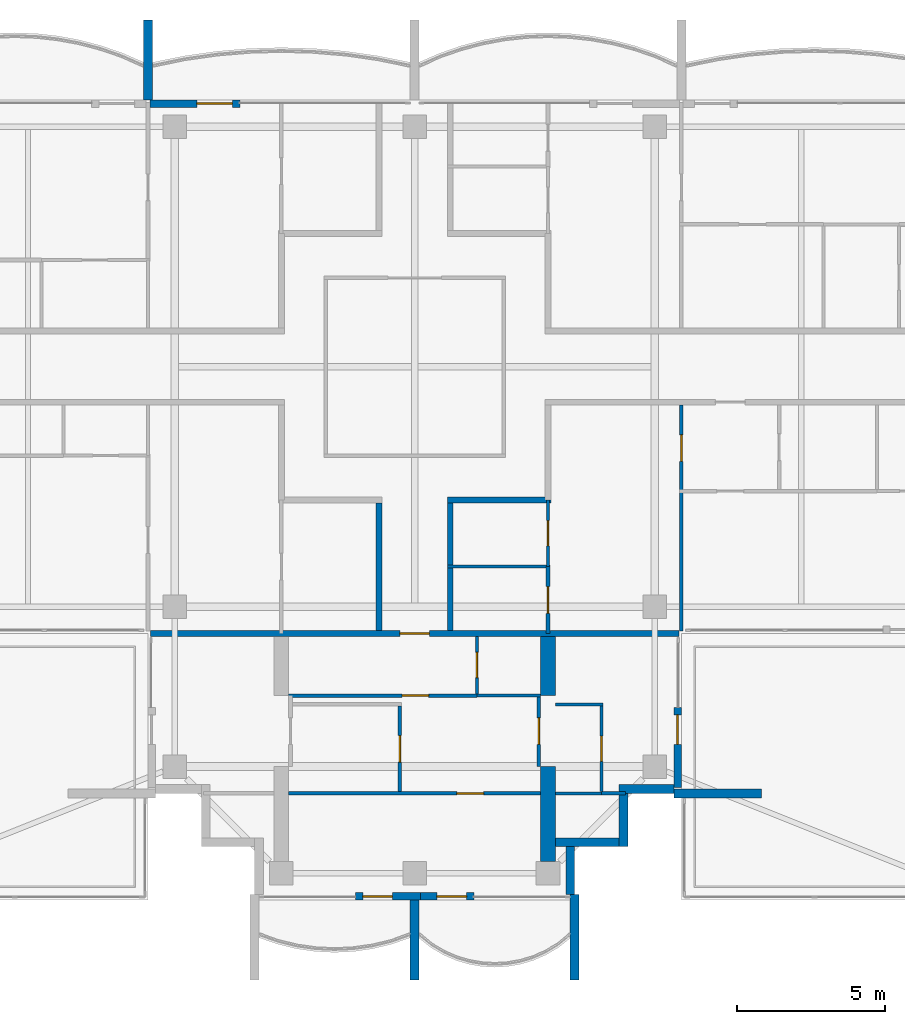
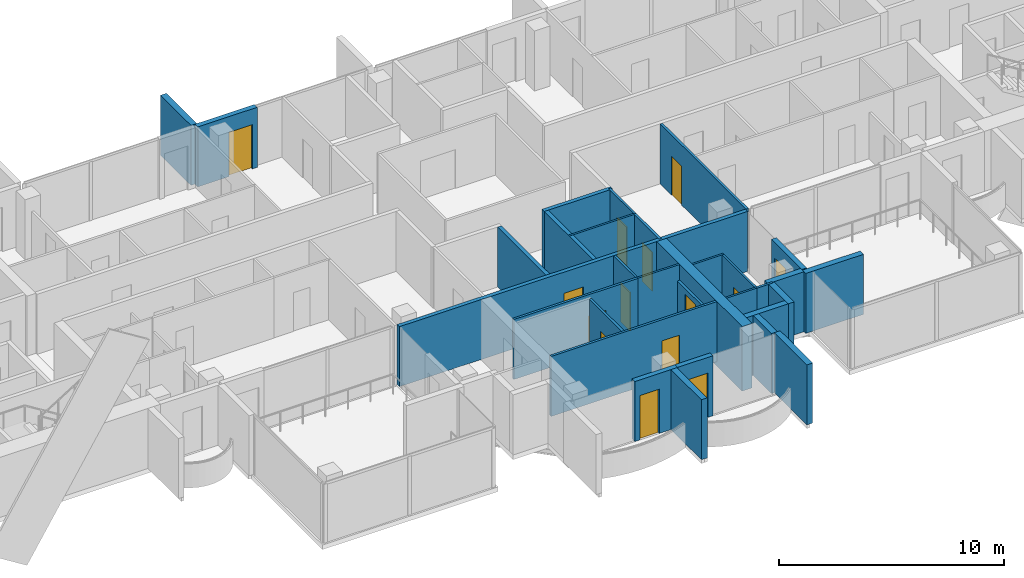
# One storey, part 9 of 16: 31 walls, 14 doors, 14 openings.
"""IFC4 building model written with IfcOpenShell, lengths in metres."""

from ifc_helpers import new_model, si_unit, direction, frame, frame_2d, origin, place, context, subcontext, project, spatial, polyline, rectangle, outline, extrude, material, layer, layer_set, material_profile, profile_set, type_object, element, fill, save


model = new_model("IFC4")

# Units and contexts
model_context = context("Model", 3, precision=1e-05, world=origin(), true_north=direction((0.0, 1.0)))
body_context = subcontext(model_context, "Body", "Model", "MODEL_VIEW")
ifc_project = project(units=[si_unit("LENGTHUNIT", "METRE"), si_unit("AREAUNIT", "SQUARE_METRE"), si_unit("VOLUMEUNIT", "CUBIC_METRE"), si_unit("PLANEANGLEUNIT", "RADIAN"), si_unit("MASSUNIT", "GRAM", prefix="KILO")], contexts=[model_context])

# Site, building, storey
site_placement = place(None, origin())
site = spatial("IfcSite", under=ifc_project, at=site_placement, CompositionType="ELEMENT")
building_placement = place(site_placement, origin())
building = spatial("IfcBuilding", under=site, at=building_placement, Name="Perihelion Cross Residences", CompositionType="ELEMENT")
storey_placement = place(building_placement, frame((0.0, 0.0, 271.0)))
storey = spatial("IfcBuildingStorey", under=building, at=storey_placement, Name="L69", CompositionType="ELEMENT", Elevation=271.0)

# Walls
ifc_material_1 = material(Name="Plasterboard partition")
ifc_layer_1 = layer(ifc_material_1, 0.199951171875)
ifc_layer_set_1 = layer_set([ifc_layer_1], Name="Apartment separation wall 200")
wall_type_1 = type_object("IfcWallType", Name="Apartment separation wall 200", PredefinedType="PARTITIONING", material=ifc_layer_set_1)
wall_1_placement = place(storey_placement, frame((4.60009765625, -4.5, 0.0), z_axis=(0.0, 0.0, 1.0), x_axis=(-1.0, 0.0, 0.0)))
element("IfcWall", 1, at=wall_1_placement, inside=storey, type_object=wall_type_1, Name="Partition L69 W011", PredefinedType="PARTITIONING", context=body_context, shape_type="SweptSolid", body=[
    extrude(rectangle(XDim=3.5, YDim=0.199951171875, at=frame_2d((1.75, 0.0))), origin(), (0.0, 0.0, 1.0), 3.25),
])
for number, where, z_axis, x_axis, name in (
    (2, (1.199951171875, -4.60009765625, 0.0), (0.0, 0.0, 1.0), (0.0, -1.0, 0.0), "Partition L69 W012"),
    (3, (-1.199951171875, -8.89990234375, 0.0), (0.0, 0.0, 1.0), (0.0, 1.0, 0.0), "Partition L69 W019"),
):
    element("IfcWall", number, at=place(storey_placement, frame(where, z_axis=z_axis, x_axis=x_axis)), inside=storey, type_object=wall_type_1, Name=name, PredefinedType="PARTITIONING", context=body_context, shape_type="SweptSolid", body=[
        extrude(rectangle(XDim=4.2998046875, YDim=0.199951171875, at=frame_2d((2.14990234375, 0.0))), origin(), (0.0, 0.0, 1.0), 3.25),
    ])

# Wall, opening, door
wall_2_placement = place(storey_placement, frame((8.919921875, -9.0, 0.0), z_axis=(0.0, 0.0, 1.0), x_axis=(-1.0, 0.0, 0.0)))
wall_2 = element("IfcWall", 4, at=wall_2_placement, inside=storey, type_object=wall_type_1, Name="Partition L69 W021", PredefinedType="PARTITIONING", context=body_context, shape_type="SweptSolid", body=[
    extrude(rectangle(XDim=17.83984375, YDim=0.199951171875, at=frame_2d((8.919921875, 0.0))), origin(), (0.0, 0.0, 1.0), 3.25),
])
opening_1_placement = place(wall_2_placement, frame((8.419921875, 0.0, 0.0)))
opening_1 = element("IfcOpeningElement", 5, at=opening_1_placement, cuts=wall_2, Name="Opening L69.A34", PredefinedType="OPENING", context=body_context, shape_type="SweptSolid", body=[
    extrude(rectangle(XDim=1.0, YDim=2.10009765625, at=frame_2d((0.5, 1.050048828125))), frame((0.0, 0.10986328125, 0.0), z_axis=(0.0, -1.0, 0.0), x_axis=(1.0, 0.0, 0.0)), (0.0, 0.0, 1.0), 0.219970703125),
])
ifc_material_2 = material(Name="Timber door leaf", Category="wood")
door_type_1 = type_object("IfcDoorType", Name="Flat entrance door 1000 x 2100", OperationType="SINGLE_SWING_LEFT", PredefinedType="DOOR", material=ifc_material_2)
door_1_placement = place(opening_1_placement, origin())
door_1 = element("IfcDoor", 6, at=door_1_placement, inside=storey, type_object=door_type_1, Name="Door L69.A34", OperationType="SINGLE_SWING_RIGHT", OverallHeight=2.10009765625, OverallWidth=1.0, PredefinedType="DOOR", context=body_context, shape_type="SweptSolid", body=[
    extrude(rectangle(XDim=1.0, YDim=2.10009765625, at=frame_2d((0.5, 1.050048828125))), frame((0.0, 0.02490234375, 0.0), z_axis=(0.0, -1.0, 0.0), x_axis=(1.0, 0.0, 0.0)), (0.0, 0.0, 1.0), 0.050048828125),
])
fill(opening_1, door_1)

ifc_material_3 = material(Name="Concrete C30/37, bronze-clad", Category="concrete")
ifc_layer_2 = layer(ifc_material_3, 0.25)
ifc_layer_set_2 = layer_set([ifc_layer_2], Name="Bronze-clad pier wall 250")
wall_type_2 = type_object("IfcWallType", Name="Bronze-clad pier wall 250", PredefinedType="SOLIDWALL", material=ifc_layer_set_2)
wall_3_placement = place(storey_placement, frame((-5.89990234375, 8.875, 0.0), z_axis=(0.0, 0.0, 1.0), x_axis=(-1.0, 0.0, 0.0)))
wall_3 = element("IfcWall", 7, at=wall_3_placement, inside=storey, type_object=wall_type_2, Name="Wall FW1 L69 north side east bay 2 pier", PredefinedType="SOLIDWALL", context=body_context, shape_type="SweptSolid", body=[
    extrude(rectangle(XDim=3.0400390625, YDim=0.25, at=frame_2d((1.52001953125, 0.0))), origin(), (0.0, 0.0, 1.0), 3.25),
])
opening_2_placement = place(wall_3_placement, frame((0.25, 0.0, 0.0)))
opening_2 = element("IfcOpeningElement", 8, at=opening_2_placement, cuts=wall_3, Name="Opening L69.E04", PredefinedType="OPENING", context=body_context, shape_type="SweptSolid", body=[
    extrude(rectangle(XDim=1.199951171875, YDim=2.39990234375, at=frame_2d((0.60009765625, 1.199951171875))), frame((0.0, 0.135009765625, 0.0), z_axis=(0.0, -1.0, 0.0), x_axis=(1.0, 0.0, 0.0)), (0.0, 0.0, 1.0), 0.27001953125),
])
ifc_material_4 = material(Name="Bronze anodised aluminium, glazed", Category="aluminium")
door_type_2 = type_object("IfcDoorType", Name="Balcony door 1200 x 2400", OperationType="NOTDEFINED", PredefinedType="DOOR", material=ifc_material_4)
door_2_placement = place(opening_2_placement, origin())
door_2 = element("IfcDoor", 9, at=door_2_placement, inside=storey, type_object=door_type_2, Name="Door L69.E04 north side east bay 2", OperationType="SINGLE_SWING_RIGHT", OverallHeight=2.39990234375, OverallWidth=1.199951171875, PredefinedType="DOOR", context=body_context, shape_type="SweptSolid", body=[
    extrude(rectangle(XDim=1.199951171875, YDim=2.39990234375, at=frame_2d((0.60009765625, 1.199951171875))), frame((0.0, 0.02490234375, 0.0), z_axis=(0.0, -1.0, 0.0), x_axis=(1.0, 0.0, 0.0)), (0.0, 0.0, 1.0), 0.050048828125),
])
fill(opening_2, door_2)

wall_4_placement = place(storey_placement, frame((-2.0, -17.875, 0.0), z_axis=(0.0, 0.0, 1.0), x_axis=(1.0, 0.0, 0.0)))
wall_4 = element("IfcWall", 10, at=wall_4_placement, inside=storey, type_object=wall_type_2, Name="Wall FW1 L69 south tip south bay 1 pier", PredefinedType="SOLIDWALL", context=body_context, shape_type="SweptSolid", body=[
    extrude(rectangle(XDim=2.199951171875, YDim=0.25, at=frame_2d((1.10009765625, 0.0))), origin(), (0.0, 0.0, 1.0), 3.25),
])
opening_3_placement = place(wall_4_placement, frame((0.25, 0.0, 0.0)))
opening_3 = element("IfcOpeningElement", 11, at=opening_3_placement, cuts=wall_4, Name="Opening L69.E10", PredefinedType="OPENING", context=body_context, shape_type="SweptSolid", body=[
    extrude(rectangle(XDim=1.0, YDim=2.39990234375, at=frame_2d((0.5, 1.199951171875))), frame((0.0, 0.135009765625, 0.0), z_axis=(0.0, -1.0, 0.0), x_axis=(1.0, 0.0, 0.0)), (0.0, 0.0, 1.0), 0.27001953125),
])
ifc_material_5 = material(Name="Bronze anodised aluminium, glazed", Category="aluminium")
door_type_3 = type_object("IfcDoorType", Name="Balcony door 1000 x 2400", OperationType="NOTDEFINED", PredefinedType="DOOR", material=ifc_material_5)
door_3_placement = place(opening_3_placement, origin())
door_3 = element("IfcDoor", 12, at=door_3_placement, inside=storey, type_object=door_type_3, Name="Door L69.E10 south tip south bay 1", OperationType="SINGLE_SWING_RIGHT", OverallHeight=2.39990234375, OverallWidth=1.0, PredefinedType="DOOR", context=body_context, shape_type="SweptSolid", body=[
    extrude(rectangle(XDim=1.0, YDim=2.39990234375, at=frame_2d((0.5, 1.199951171875))), frame((0.0, 0.02490234375, 0.0), z_axis=(0.0, -1.0, 0.0), x_axis=(1.0, 0.0, 0.0)), (0.0, 0.0, 1.0), 0.050048828125),
])
fill(opening_3, door_3)

wall_5_placement = place(storey_placement, frame((0.199951171875, -17.875, 0.0), z_axis=(0.0, 0.0, 1.0), x_axis=(1.0, 0.0, 0.0)))
wall_5 = element("IfcWall", 13, at=wall_5_placement, inside=storey, type_object=wall_type_2, Name="Wall FW1 L69 south tip south bay 2 pier", PredefinedType="SOLIDWALL", context=body_context, shape_type="SweptSolid", body=[
    extrude(rectangle(XDim=1.800048828125, YDim=0.25, at=frame_2d((0.89990234375, 0.0))), origin(), (0.0, 0.0, 1.0), 3.25),
])
opening_4_placement = place(wall_5_placement, frame((0.550048828125, 0.0, 0.0)))
opening_4 = element("IfcOpeningElement", 14, at=opening_4_placement, cuts=wall_5, Name="Opening L69.E11", PredefinedType="OPENING", context=body_context, shape_type="SweptSolid", body=[
    extrude(rectangle(XDim=1.0, YDim=2.39990234375, at=frame_2d((0.5, 1.199951171875))), frame((0.0, 0.135009765625, 0.0), z_axis=(0.0, -1.0, 0.0), x_axis=(1.0, 0.0, 0.0)), (0.0, 0.0, 1.0), 0.27001953125),
])
door_4_placement = place(opening_4_placement, origin())
door_4 = element("IfcDoor", 15, at=door_4_placement, inside=storey, type_object=door_type_3, Name="Door L69.E11 south tip south bay 2", OperationType="SINGLE_SWING_LEFT", OverallHeight=2.39990234375, OverallWidth=1.0, PredefinedType="DOOR", context=body_context, shape_type="SweptSolid", body=[
    extrude(rectangle(XDim=1.0, YDim=2.39990234375, at=frame_2d((0.5, 1.199951171875))), frame((0.0, 0.02490234375, 0.0), z_axis=(0.0, -1.0, 0.0), x_axis=(1.0, 0.0, 0.0)), (0.0, 0.0, 1.0), 0.050048828125),
])
fill(opening_4, door_4)

wall_6_placement = place(storey_placement, frame((8.875, -14.199951171875, 0.0), z_axis=(0.0, 0.0, 1.0), x_axis=(0.0, 1.0, 0.0)))
wall_6 = element("IfcWall", 16, at=wall_6_placement, inside=storey, type_object=wall_type_2, Name="Wall FW1 L69 south side east bay 1 pier", PredefinedType="SOLIDWALL", context=body_context, shape_type="SweptSolid", body=[
    extrude(rectangle(XDim=2.699951171875, YDim=0.25, at=frame_2d((1.35009765625, 0.0))), origin(), (0.0, 0.0, 1.0), 3.25),
])
opening_5_placement = place(wall_6_placement, frame((1.449951171875, 0.0, 0.0)))
opening_5 = element("IfcOpeningElement", 17, at=opening_5_placement, cuts=wall_6, Name="Opening L69.E12", PredefinedType="OPENING", context=body_context, shape_type="SweptSolid", body=[
    extrude(rectangle(XDim=1.0, YDim=2.39990234375, at=frame_2d((0.5, 1.199951171875))), frame((0.0, 0.135009765625, 0.0), z_axis=(0.0, -1.0, 0.0), x_axis=(1.0, 0.0, 0.0)), (0.0, 0.0, 1.0), 0.27001953125),
])
door_5_placement = place(opening_5_placement, origin())
door_5 = element("IfcDoor", 18, at=door_5_placement, inside=storey, type_object=door_type_3, Name="Door L69.E12 south side east bay 1", OperationType="SINGLE_SWING_RIGHT", OverallHeight=2.39990234375, OverallWidth=1.0, PredefinedType="DOOR", context=body_context, shape_type="SweptSolid", body=[
    extrude(rectangle(XDim=1.0, YDim=2.39990234375, at=frame_2d((0.5, 1.199951171875))), frame((0.0, 0.02490234375, 0.0), z_axis=(0.0, -1.0, 0.0), x_axis=(1.0, 0.0, 0.0)), (0.0, 0.0, 1.0), 0.050048828125),
])
fill(opening_5, door_5)

# Walls
ifc_material_6 = material(Name="Concrete C30/37, bronze-clad", Category="concrete")
ifc_layer_3 = layer(ifc_material_6, 0.300048828125)
ifc_layer_set_3 = layer_set([ifc_layer_3], Name="Bronze-clad serration wall 300")
wall_type_3 = type_object("IfcWallType", Name="Bronze-clad serration wall 300", PredefinedType="SOLIDWALL", material=ifc_layer_set_3)
wall_7_placement = place(storey_placement, frame((5.25, -17.820068359375, 0.0), z_axis=(0.0, 0.0, 1.0), x_axis=(0.0, 1.0, 0.0)))
element("IfcWall", 19, at=wall_7_placement, inside=storey, type_object=wall_type_3, Name="Wall SR1 L69 south corner south-east 1", PredefinedType="SOLIDWALL", context=body_context, shape_type="SweptSolid", body=[
    extrude(rectangle(XDim=1.6201171875, YDim=0.300048828125, at=frame_2d((0.81005859375, 0.0))), origin(), (0.0, 0.0, 1.0), 3.25),
])
wall_8_placement = place(storey_placement, frame((4.75, -16.050048828125, 0.0), z_axis=(0.0, 0.0, 1.0), x_axis=(1.0, 0.0, 0.0)))
element("IfcWall", 20, at=wall_8_placement, inside=storey, type_object=wall_type_3, Name="Wall SR1 L69 south corner south-east 2", PredefinedType="SOLIDWALL", context=body_context, shape_type="SweptSolid", body=[
    extrude(rectangle(XDim=2.14990234375, YDim=0.300048828125, at=frame_2d((1.074951171875, 0.0))), origin(), (0.0, 0.0, 1.0), 3.25),
])
wall_9_placement = place(storey_placement, frame((7.050048828125, -16.199951171875, 0.0), z_axis=(0.0, 0.0, 1.0), x_axis=(0.0, 1.0, 0.0)))
element("IfcWall", 21, at=wall_9_placement, inside=storey, type_object=wall_type_3, Name="Wall SR1 L69 south corner south-east 3", PredefinedType="SOLIDWALL", context=body_context, shape_type="SweptSolid", body=[
    extrude(rectangle(XDim=1.800048828125, YDim=0.300048828125, at=frame_2d((0.89990234375, 0.0))), origin(), (0.0, 0.0, 1.0), 3.25),
])
wall_10_placement = place(storey_placement, frame((6.89990234375, -14.25, 0.0), z_axis=(0.0, 0.0, 1.0), x_axis=(1.0, 0.0, 0.0)))
element("IfcWall", 22, at=wall_10_placement, inside=storey, type_object=wall_type_3, Name="Wall SR1 L69 south corner south-east 4", PredefinedType="SOLIDWALL", context=body_context, shape_type="SweptSolid", body=[
    extrude(rectangle(XDim=1.85009765625, YDim=0.300048828125, at=frame_2d((0.925048828125, 0.0))), origin(), (0.0, 0.0, 1.0), 3.25),
])

# Wall, opening, door
ifc_material_7 = material(Name="Plasterboard partition")
ifc_layer_4 = layer(ifc_material_7, 0.1201171875)
ifc_layer_set_4 = layer_set([ifc_layer_4], Name="Infill panel 120")
wall_type_4 = type_object("IfcWallType", Name="Infill panel 120", PredefinedType="PARTITIONING", material=ifc_layer_set_4)
wall_11_placement = place(storey_placement, frame((4.18994140625, -11.10009765625, 0.0), z_axis=(0.0, 0.0, 1.0), x_axis=(0.0, -1.0, 0.0)))
wall_11 = element("IfcWall", 23, at=wall_11_placement, inside=storey, type_object=wall_type_4, Name="Partition L69 WI01", PredefinedType="PARTITIONING", context=body_context, shape_type="SweptSolid", body=[
    extrude(rectangle(XDim=2.39990234375, YDim=0.1201171875, at=frame_2d((1.199951171875, 0.0))), origin(), (0.0, 0.0, 1.0), 2.39990234375),
])
opening_6_placement = place(wall_11_placement, frame((0.75, 0.0, 0.0)))
opening_6 = element("IfcOpeningElement", 24, at=opening_6_placement, cuts=wall_11, Name="Opening L69.A44", PredefinedType="OPENING", context=body_context, shape_type="SweptSolid", body=[
    extrude(rectangle(XDim=0.89990234375, YDim=2.10009765625, at=frame_2d((0.449951171875, 1.050048828125))), frame((0.0, 0.070068359375, 0.0), z_axis=(0.0, -1.0, 0.0), x_axis=(1.0, 0.0, 0.0)), (0.0, 0.0, 1.0), 0.14013671875),
])
ifc_material_8 = material(Name="Timber door leaf", Category="wood")
door_type_4 = type_object("IfcDoorType", Name="Interior room door 900 x 2100", OperationType="SINGLE_SWING_LEFT", PredefinedType="DOOR", material=ifc_material_8)
door_6_placement = place(opening_6_placement, origin())
door_6 = element("IfcDoor", 25, at=door_6_placement, inside=storey, type_object=door_type_4, Name="Door L69.A44", OperationType="SINGLE_SWING_LEFT", OverallHeight=2.10009765625, OverallWidth=0.89990234375, PredefinedType="DOOR", context=body_context, shape_type="SweptSolid", body=[
    extrude(rectangle(XDim=0.89990234375, YDim=2.10009765625, at=frame_2d((0.449951171875, 1.050048828125))), frame((0.0, 0.02490234375, 0.0), z_axis=(0.0, -1.0, 0.0), x_axis=(1.0, 0.0, 0.0)), (0.0, 0.0, 1.0), 0.050048828125),
])
fill(opening_6, door_6)

ifc_material_9 = material(Name="Plasterboard partition")
ifc_layer_5 = layer(ifc_material_9, 0.1201171875)
ifc_layer_set_5 = layer_set([ifc_layer_5], Name="Partition wall 120")
wall_type_5 = type_object("IfcWallType", Name="Partition wall 120", PredefinedType="PARTITIONING", material=ifc_layer_set_5)
wall_12_placement = place(storey_placement, frame((9.0, -8.919921875, 0.0), z_axis=(0.0, 0.0, 1.0), x_axis=(0.0, 1.0, 0.0)))
wall_12 = element("IfcWall", 26, at=wall_12_placement, inside=storey, type_object=wall_type_5, Name="Partition L69 W035", PredefinedType="PARTITIONING", context=body_context, shape_type="SweptSolid", body=[
    extrude(rectangle(XDim=7.619873046875, YDim=0.1201171875, at=frame_2d((3.81005859375, 0.0))), origin(), (0.0, 0.0, 1.0), 3.25),
])
opening_7_placement = place(wall_12_placement, frame((5.719970703125, 0.0, 0.0)))
opening_7 = element("IfcOpeningElement", 27, at=opening_7_placement, cuts=wall_12, Name="Opening L69.A12", PredefinedType="OPENING", context=body_context, shape_type="SweptSolid", body=[
    extrude(rectangle(XDim=0.89990234375, YDim=2.10009765625, at=frame_2d((0.449951171875, 1.050048828125))), frame((0.0, 0.070068359375, 0.0), z_axis=(0.0, -1.0, 0.0), x_axis=(1.0, 0.0, 0.0)), (0.0, 0.0, 1.0), 0.14013671875),
])
door_7_placement = place(opening_7_placement, origin())
door_7 = element("IfcDoor", 28, at=door_7_placement, inside=storey, type_object=door_type_4, Name="Door L69.A12", OperationType="SINGLE_SWING_RIGHT", OverallHeight=2.10009765625, OverallWidth=0.89990234375, PredefinedType="DOOR", context=body_context, shape_type="SweptSolid", body=[
    extrude(rectangle(XDim=0.89990234375, YDim=2.10009765625, at=frame_2d((0.449951171875, 1.050048828125))), frame((0.0, 0.02490234375, 0.0), z_axis=(0.0, -1.0, 0.0), x_axis=(1.0, 0.0, 0.0)), (0.0, 0.0, 1.0), 0.050048828125),
])
fill(opening_7, door_7)

wall_13_placement = place(storey_placement, frame((4.5, -9.0, 0.0), z_axis=(0.0, 0.0, 1.0), x_axis=(0.0, 1.0, 0.0)))
wall_13 = element("IfcWall", 29, at=wall_13_placement, inside=storey, type_object=wall_type_5, Name="Partition L69 W042", PredefinedType="PARTITIONING", context=body_context, shape_type="SweptSolid", body=[
    extrude(rectangle(XDim=2.25, YDim=0.1201171875, at=frame_2d((1.125, 0.0))), origin(), (0.0, 0.0, 1.0), 3.25),
])
opening_8_placement = place(wall_13_placement, frame((0.675048828125, 0.0, 0.0)))
opening_8 = element("IfcOpeningElement", 30, at=opening_8_placement, cuts=wall_13, Name="Opening L69.A14", PredefinedType="OPENING", context=body_context, shape_type="SweptSolid", body=[
    extrude(rectangle(XDim=0.89990234375, YDim=2.10009765625, at=frame_2d((0.449951171875, 1.050048828125))), frame((0.0, 0.070068359375, 0.0), z_axis=(0.0, -1.0, 0.0), x_axis=(1.0, 0.0, 0.0)), (0.0, 0.0, 1.0), 0.14013671875),
])
door_8_placement = place(opening_8_placement, origin())
door_8 = element("IfcDoor", 31, at=door_8_placement, inside=storey, type_object=door_type_4, Name="Door L69.A14", OperationType="SINGLE_SWING_LEFT", OverallHeight=2.10009765625, OverallWidth=0.89990234375, PredefinedType="DOOR", context=body_context, shape_type="SweptSolid", body=[
    extrude(rectangle(XDim=0.89990234375, YDim=2.10009765625, at=frame_2d((0.449951171875, 1.050048828125))), frame((0.0, 0.02490234375, 0.0), z_axis=(0.0, -1.0, 0.0), x_axis=(1.0, 0.0, 0.0)), (0.0, 0.0, 1.0), 0.050048828125),
])
fill(opening_8, door_8)

wall_14_placement = place(storey_placement, frame((2.10009765625, -11.10009765625, 0.0), z_axis=(0.0, 0.0, 1.0), x_axis=(-1.0, 0.0, 0.0)))
wall_14 = element("IfcWall", 32, at=wall_14_placement, inside=storey, type_object=wall_type_5, Name="Partition L69 W068", PredefinedType="PARTITIONING", context=body_context, shape_type="SweptSolid", body=[
    extrude(rectangle(XDim=6.35009765625, YDim=0.1201171875, at=frame_2d((3.175048828125, 0.0))), origin(), (0.0, 0.0, 1.0), 3.25),
])
opening_9_placement = place(wall_14_placement, frame((1.625, 0.0, 0.0)))
opening_9 = element("IfcOpeningElement", 33, at=opening_9_placement, cuts=wall_14, Name="Opening L69.A36", PredefinedType="OPENING", context=body_context, shape_type="SweptSolid", body=[
    extrude(rectangle(XDim=0.89990234375, YDim=2.10009765625, at=frame_2d((0.449951171875, 1.050048828125))), frame((0.0, 0.070068359375, 0.0), z_axis=(0.0, -1.0, 0.0), x_axis=(1.0, 0.0, 0.0)), (0.0, 0.0, 1.0), 0.14013671875),
])
door_9_placement = place(opening_9_placement, origin())
door_9 = element("IfcDoor", 34, at=door_9_placement, inside=storey, type_object=door_type_4, Name="Door L69.A36", OperationType="SINGLE_SWING_RIGHT", OverallHeight=2.10009765625, OverallWidth=0.89990234375, PredefinedType="DOOR", context=body_context, shape_type="SweptSolid", body=[
    extrude(rectangle(XDim=0.89990234375, YDim=2.10009765625, at=frame_2d((0.449951171875, 1.050048828125))), frame((0.0, 0.02490234375, 0.0), z_axis=(0.0, -1.0, 0.0), x_axis=(1.0, 0.0, 0.0)), (0.0, 0.0, 1.0), 0.050048828125),
])
fill(opening_9, door_9)

wall_15_placement = place(storey_placement, frame((-0.5, -14.340087890625, 0.0), z_axis=(0.0, 0.0, 1.0), x_axis=(0.0, 1.0, 0.0)))
wall_15 = element("IfcWall", 35, at=wall_15_placement, inside=storey, type_object=wall_type_5, Name="Partition L69 W070", PredefinedType="PARTITIONING", context=body_context, shape_type="SweptSolid", body=[
    extrude(rectangle(XDim=2.880126953125, YDim=0.1201171875, at=frame_2d((1.43994140625, 0.0))), origin(), (0.0, 0.0, 1.0), 3.25),
])
opening_10_placement = place(wall_15_placement, frame((0.989990234375, 0.0, 0.0)))
opening_10 = element("IfcOpeningElement", 36, at=opening_10_placement, cuts=wall_15, Name="Opening L69.A37", PredefinedType="OPENING", context=body_context, shape_type="SweptSolid", body=[
    extrude(rectangle(XDim=0.89990234375, YDim=2.10009765625, at=frame_2d((0.449951171875, 1.050048828125))), frame((0.0, 0.070068359375, 0.0), z_axis=(0.0, -1.0, 0.0), x_axis=(1.0, 0.0, 0.0)), (0.0, 0.0, 1.0), 0.14013671875),
])
door_10_placement = place(opening_10_placement, origin())
door_10 = element("IfcDoor", 37, at=door_10_placement, inside=storey, type_object=door_type_4, Name="Door L69.A37", OperationType="SINGLE_SWING_RIGHT", OverallHeight=2.10009765625, OverallWidth=0.89990234375, PredefinedType="DOOR", context=body_context, shape_type="SweptSolid", body=[
    extrude(rectangle(XDim=0.89990234375, YDim=2.10009765625, at=frame_2d((0.449951171875, 1.050048828125))), frame((0.0, 0.02490234375, 0.0), z_axis=(0.0, -1.0, 0.0), x_axis=(1.0, 0.0, 0.0)), (0.0, 0.0, 1.0), 0.050048828125),
])
fill(opening_10, door_10)

wall_16_placement = place(storey_placement, frame((4.25, -14.39990234375, 0.0), z_axis=(0.0, 0.0, 1.0), x_axis=(-1.0, 0.0, 0.0)))
wall_16 = element("IfcWall", 38, at=wall_16_placement, inside=storey, type_object=wall_type_5, Name="Partition L69 W072", PredefinedType="PARTITIONING", context=body_context, shape_type="SweptSolid", body=[
    extrude(rectangle(XDim=8.5, YDim=0.1201171875, at=frame_2d((4.25, 0.0))), origin(), (0.0, 0.0, 1.0), 3.25),
])
opening_11_placement = place(wall_16_placement, frame((1.925048828125, 0.0, 0.0)))
opening_11 = element("IfcOpeningElement", 39, at=opening_11_placement, cuts=wall_16, Name="Opening L69.A38", PredefinedType="OPENING", context=body_context, shape_type="SweptSolid", body=[
    extrude(rectangle(XDim=0.89990234375, YDim=2.10009765625, at=frame_2d((0.449951171875, 1.050048828125))), frame((0.0, 0.070068359375, 0.0), z_axis=(0.0, -1.0, 0.0), x_axis=(1.0, 0.0, 0.0)), (0.0, 0.0, 1.0), 0.14013671875),
])
door_11_placement = place(opening_11_placement, origin())
door_11 = element("IfcDoor", 40, at=door_11_placement, inside=storey, type_object=door_type_4, Name="Door L69.A38", OperationType="SINGLE_SWING_RIGHT", OverallHeight=2.10009765625, OverallWidth=0.89990234375, PredefinedType="DOOR", context=body_context, shape_type="SweptSolid", body=[
    extrude(rectangle(XDim=0.89990234375, YDim=2.10009765625, at=frame_2d((0.449951171875, 1.050048828125))), frame((0.0, 0.02490234375, 0.0), z_axis=(0.0, -1.0, 0.0), x_axis=(1.0, 0.0, 0.0)), (0.0, 0.0, 1.0), 0.050048828125),
])
fill(opening_11, door_11)

# Walls
wall_17_placement = place(storey_placement, frame((7.1201171875, -14.39990234375, 0.0), z_axis=(0.0, 0.0, 1.0), x_axis=(-1.0, 0.0, 0.0)))
element("IfcWall", 41, at=wall_17_placement, inside=storey, type_object=wall_type_5, Name="Partition L69 W075", PredefinedType="PARTITIONING", context=body_context, shape_type="SweptSolid", body=[
    extrude(rectangle(XDim=0.820068359375, YDim=0.1201171875, at=frame_2d((0.41015625, 0.0))), origin(), (0.0, 0.0, 1.0), 3.25),
])
ifc_material_10 = material(Name="Precast concrete C50/60", Category="concrete")
ifc_layer_6 = layer(ifc_material_10, 0.300048828125)
ifc_layer_set_6 = layer_set([ifc_layer_6], Name="Precast concrete C50/60 blade wall 300")
wall_type_6 = type_object("IfcWallType", Name="Precast concrete C50/60 blade wall 300", PredefinedType="SOLIDWALL", material=ifc_layer_set_6)
for number, where, z_axis, x_axis, name in (
    (42, (-9.0, 9.0, 0.0), (0.0, 0.0, 1.0), (0.0, 1.0, 0.0), "Wall BL1 L69 no. 7"),
    (43, (0.0, -18.0, 0.0), (0.0, 0.0, 1.0), (0.0, -1.0, 0.0), "Wall BL1 L69 no. 8"),
):
    element("IfcWall", number, at=place(storey_placement, frame(where, z_axis=z_axis, x_axis=x_axis)), inside=storey, type_object=wall_type_6, Name=name, PredefinedType="SOLIDWALL", context=body_context, shape_type="SweptSolid", body=[
        extrude(rectangle(XDim=2.699951171875, YDim=0.300048828125, at=frame_2d((1.35009765625, 0.0))), origin(), (0.0, 0.0, 1.0), 3.25),
    ])
wall_18_placement = place(storey_placement, frame((5.39990234375, -17.820068359375, 0.0), z_axis=(0.0, 0.0, 1.0), x_axis=(0.0, -1.0, 0.0)))
element("IfcWall", 44, at=wall_18_placement, inside=storey, type_object=wall_type_6, Name="Wall BL1 L69 no. 14", PredefinedType="SOLIDWALL", context=body_context, shape_type="SweptSolid", body=[
    extrude(rectangle(XDim=2.8798828125, YDim=0.300048828125, at=frame_2d((1.43994140625, 0.0))), origin(), (0.0, 0.0, 1.0), 3.25),
])
wall_19_placement = place(storey_placement, frame((8.75, -14.39990234375, 0.0), z_axis=(0.0, 0.0, 1.0), x_axis=(1.0, 0.0, 0.0)))
element("IfcWall", 45, at=wall_19_placement, inside=storey, type_object=wall_type_6, Name="Wall BL1 L69 no. 15", PredefinedType="SOLIDWALL", context=body_context, shape_type="SweptSolid", body=[
    extrude(rectangle(XDim=2.949951171875, YDim=0.300048828125, at=frame_2d((1.47509765625, 0.0))), origin(), (0.0, 0.0, 1.0), 3.25),
])
ifc_material_11 = material(Name="Concrete C50/60", Category="concrete")
ifc_material_profile = material_profile(ifc_material_11, outline(polyline([(0.0, 0.0), (3.199951171875, 0.0), (3.199951171875, 2.64990234375), (5.60009765625, 2.64990234375), (5.60009765625, 0.0), (7.699951171875, 0.0), (7.699951171875, 3.5), (0.0, 3.5), (0.0, 0.0)])), Name="Tip spine wall")
ifc_profile_set = profile_set([ifc_material_profile], Name="Concrete C50/60")
wall_type_7 = type_object("IfcWallType", Name="Tip spine wall 500 with 1 door openings 7700 long 3500 high concrete C50/60", PredefinedType="SHEAR", material=ifc_profile_set)
wall_20_placement = place(storey_placement, frame((4.25, -16.699951171875, -0.25), z_axis=(1.0, 0.0, 0.0), x_axis=(0.0, 1.0, 0.0)))
element("IfcWall", 46, at=wall_20_placement, inside=storey, type_object=wall_type_7, Name="Shear wall SW45 L69 south east", PredefinedType="SHEAR", context=body_context, shape_type="SweptSolid", body=[
    extrude(outline(polyline([(0.0, 0.0), (3.199951171875, 0.0), (3.199951171875, 2.64990234375), (5.60009765625, 2.64990234375), (5.60009765625, 0.0), (7.699951171875, 0.0), (7.699951171875, 3.5), (0.0, 3.5), (0.0, 0.0)])), origin(), (0.0, 0.0, 1.0), 0.5),
])

# Wall, opening, door
ifc_material_12 = material(Name="Plasterboard partition")
ifc_layer_7 = layer(ifc_material_12, 0.10009765625)
ifc_layer_set_7 = layer_set([ifc_layer_7], Name="Wet room wall 100")
wall_type_8 = type_object("IfcWallType", Name="Wet room wall 100", PredefinedType="PARTITIONING", material=ifc_layer_set_7)
wall_21_placement = place(storey_placement, frame((4.5, -6.75, 0.0), z_axis=(0.0, 0.0, 1.0), x_axis=(0.0, 1.0, 0.0)))
wall_21 = element("IfcWall", 47, at=wall_21_placement, inside=storey, type_object=wall_type_8, Name="Partition L69 W041", PredefinedType="PARTITIONING", context=body_context, shape_type="SweptSolid", body=[
    extrude(rectangle(XDim=2.25, YDim=0.10009765625, at=frame_2d((1.125, 0.0))), origin(), (0.0, 0.0, 1.0), 3.25),
])
opening_12_placement = place(wall_21_placement, frame((0.699951171875, 0.0, 0.0)))
opening_12 = element("IfcOpeningElement", 48, at=opening_12_placement, cuts=wall_21, Name="Opening L69.A11", PredefinedType="OPENING", context=body_context, shape_type="SweptSolid", body=[
    extrude(rectangle(XDim=0.85009765625, YDim=2.10009765625, at=frame_2d((0.425048828125, 1.050048828125))), frame((0.0, 0.06005859375, 0.0), z_axis=(0.0, -1.0, 0.0), x_axis=(1.0, 0.0, 0.0)), (0.0, 0.0, 1.0), 0.1201171875),
])
ifc_material_13 = material(Name="Timber door leaf", Category="wood")
door_type_5 = type_object("IfcDoorType", Name="Interior bathroom door 850 x 2100", OperationType="SINGLE_SWING_LEFT", PredefinedType="DOOR", material=ifc_material_13)
door_12_placement = place(opening_12_placement, origin())
door_12 = element("IfcDoor", 49, at=door_12_placement, inside=storey, type_object=door_type_5, Name="Door L69.A11", OperationType="SINGLE_SWING_LEFT", OverallHeight=2.10009765625, OverallWidth=0.85009765625, PredefinedType="DOOR", context=body_context, shape_type="SweptSolid", body=[
    extrude(rectangle(XDim=0.85009765625, YDim=2.10009765625, at=frame_2d((0.425048828125, 1.050048828125))), frame((0.0, 0.02490234375, 0.0), z_axis=(0.0, -1.0, 0.0), x_axis=(1.0, 0.0, 0.0)), (0.0, 0.0, 1.0), 0.050048828125),
])
fill(opening_12, door_12)

# Wall
wall_22_placement = place(storey_placement, frame((4.56005859375, -6.75, 0.0), z_axis=(0.0, 0.0, 1.0), x_axis=(-1.0, 0.0, 0.0)))
element("IfcWall", 50, at=wall_22_placement, inside=storey, type_object=wall_type_8, Name="Partition L69 W043", PredefinedType="PARTITIONING", context=body_context, shape_type="SweptSolid", body=[
    extrude(rectangle(XDim=3.4599609375, YDim=0.10009765625, at=frame_2d((1.72998046875, 0.0))), origin(), (0.0, 0.0, 1.0), 3.25),
])

# Wall, opening, door
wall_23_placement = place(storey_placement, frame((2.10009765625, -9.10009765625, 0.0), z_axis=(0.0, 0.0, 1.0), x_axis=(0.0, -1.0, 0.0)))
wall_23 = element("IfcWall", 51, at=wall_23_placement, inside=storey, type_object=wall_type_8, Name="Partition L69 W067", PredefinedType="PARTITIONING", context=body_context, shape_type="SweptSolid", body=[
    extrude(rectangle(XDim=1.93994140625, YDim=0.10009765625, at=frame_2d((0.969970703125, 0.0))), origin(), (0.0, 0.0, 1.0), 3.25),
])
opening_13_placement = place(wall_23_placement, frame((0.544921875, 0.0, 0.0)))
opening_13 = element("IfcOpeningElement", 52, at=opening_13_placement, cuts=wall_23, Name="Opening L69.A35", PredefinedType="OPENING", context=body_context, shape_type="SweptSolid", body=[
    extrude(rectangle(XDim=0.85009765625, YDim=2.10009765625, at=frame_2d((0.425048828125, 1.050048828125))), frame((0.0, 0.06005859375, 0.0), z_axis=(0.0, -1.0, 0.0), x_axis=(1.0, 0.0, 0.0)), (0.0, 0.0, 1.0), 0.1201171875),
])
door_13_placement = place(opening_13_placement, origin())
door_13 = element("IfcDoor", 53, at=door_13_placement, inside=storey, type_object=door_type_5, Name="Door L69.A35", OperationType="SINGLE_SWING_LEFT", OverallHeight=2.10009765625, OverallWidth=0.85009765625, PredefinedType="DOOR", context=body_context, shape_type="SweptSolid", body=[
    extrude(rectangle(XDim=0.85009765625, YDim=2.10009765625, at=frame_2d((0.425048828125, 1.050048828125))), frame((0.0, 0.02490234375, 0.0), z_axis=(0.0, -1.0, 0.0), x_axis=(1.0, 0.0, 0.0)), (0.0, 0.0, 1.0), 0.050048828125),
])
fill(opening_13, door_13)

# Wall
wall_24_placement = place(storey_placement, frame((4.25, -11.10009765625, 0.0), z_axis=(0.0, 0.0, 1.0), x_axis=(-1.0, 0.0, 0.0)))
element("IfcWall", 54, at=wall_24_placement, inside=storey, type_object=wall_type_8, Name="Partition L69 W069", PredefinedType="PARTITIONING", context=body_context, shape_type="SweptSolid", body=[
    extrude(rectangle(XDim=2.14990234375, YDim=0.10009765625, at=frame_2d((1.074951171875, 0.0))), origin(), (0.0, 0.0, 1.0), 3.25),
])

# Wall, opening, door
wall_25_placement = place(storey_placement, frame((6.300048828125, -14.340087890625, 0.0), z_axis=(0.0, 0.0, 1.0), x_axis=(0.0, 1.0, 0.0)))
wall_25 = element("IfcWall", 55, at=wall_25_placement, inside=storey, type_object=wall_type_8, Name="Partition L69 W073", PredefinedType="PARTITIONING", context=body_context, shape_type="SweptSolid", body=[
    extrude(rectangle(XDim=2.89013671875, YDim=0.10009765625, at=frame_2d((1.445068359375, 0.0))), origin(), (0.0, 0.0, 1.0), 3.25),
])
opening_14_placement = place(wall_25_placement, frame((1.02001953125, 0.0, 0.0)))
opening_14 = element("IfcOpeningElement", 56, at=opening_14_placement, cuts=wall_25, Name="Opening L69.A39", PredefinedType="OPENING", context=body_context, shape_type="SweptSolid", body=[
    extrude(rectangle(XDim=0.85009765625, YDim=2.10009765625, at=frame_2d((0.425048828125, 1.050048828125))), frame((0.0, 0.06005859375, 0.0), z_axis=(0.0, -1.0, 0.0), x_axis=(1.0, 0.0, 0.0)), (0.0, 0.0, 1.0), 0.1201171875),
])
door_14_placement = place(opening_14_placement, origin())
door_14 = element("IfcDoor", 57, at=door_14_placement, inside=storey, type_object=door_type_5, Name="Door L69.A39", OperationType="SINGLE_SWING_LEFT", OverallHeight=2.10009765625, OverallWidth=0.85009765625, PredefinedType="DOOR", context=body_context, shape_type="SweptSolid", body=[
    extrude(rectangle(XDim=0.85009765625, YDim=2.10009765625, at=frame_2d((0.425048828125, 1.050048828125))), frame((0.0, 0.02490234375, 0.0), z_axis=(0.0, -1.0, 0.0), x_axis=(1.0, 0.0, 0.0)), (0.0, 0.0, 1.0), 0.050048828125),
])
fill(opening_14, door_14)

# Walls
wall_26_placement = place(storey_placement, frame((6.35009765625, -11.39990234375, 0.0), z_axis=(0.0, 0.0, 1.0), x_axis=(-1.0, 0.0, 0.0)))
element("IfcWall", 58, at=wall_26_placement, inside=storey, type_object=wall_type_8, Name="Partition L69 W074", PredefinedType="PARTITIONING", context=body_context, shape_type="SweptSolid", body=[
    extrude(rectangle(XDim=1.60009765625, YDim=0.10009765625, at=frame_2d((0.800048828125, 0.0))), origin(), (0.0, 0.0, 1.0), 3.25),
])
wall_27_placement = place(storey_placement, frame((6.300048828125, -14.39990234375, 0.0), z_axis=(0.0, 0.0, 1.0), x_axis=(-1.0, 0.0, 0.0)))
element("IfcWall", 59, at=wall_27_placement, inside=storey, type_object=wall_type_8, Name="Partition L69 W076", PredefinedType="PARTITIONING", context=body_context, shape_type="SweptSolid", body=[
    extrude(rectangle(XDim=1.550048828125, YDim=0.10009765625, at=frame_2d((0.77490234375, 0.0))), origin(), (0.0, 0.0, 1.0), 3.25),
])

save(model, "model.ifc")
